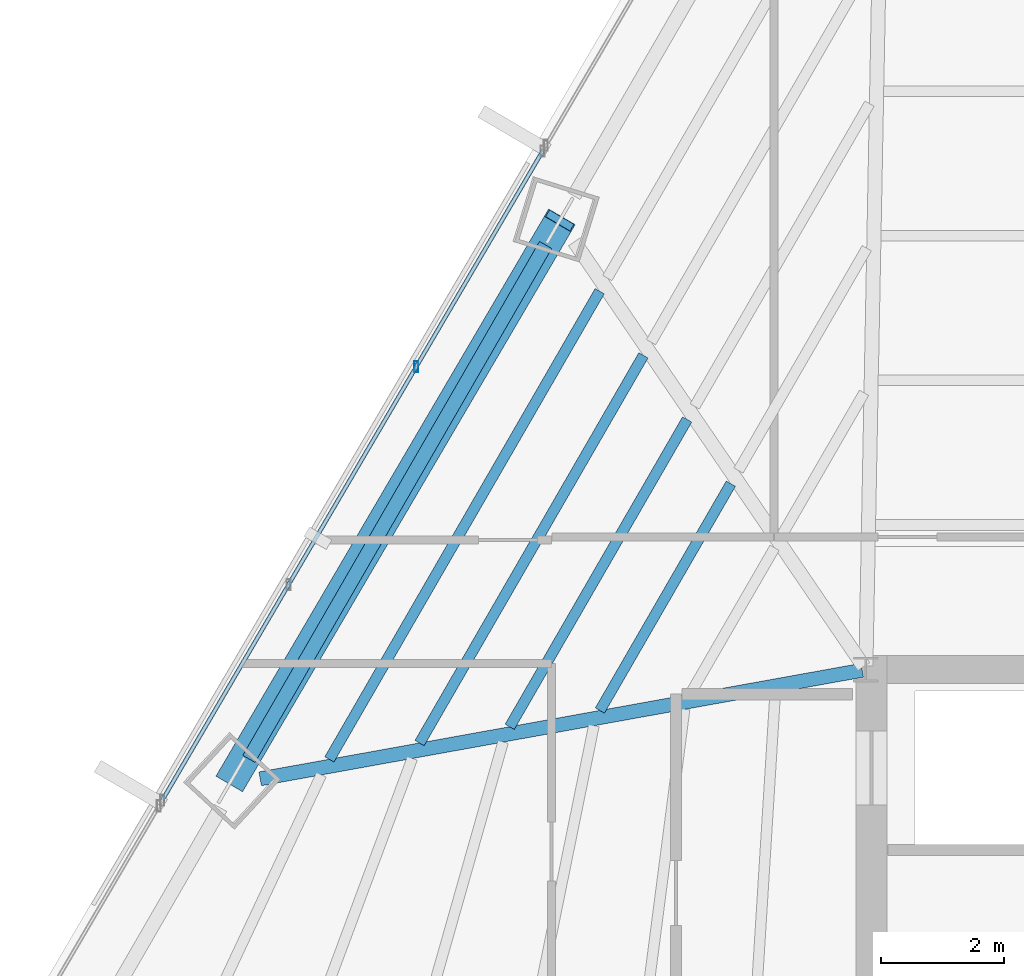
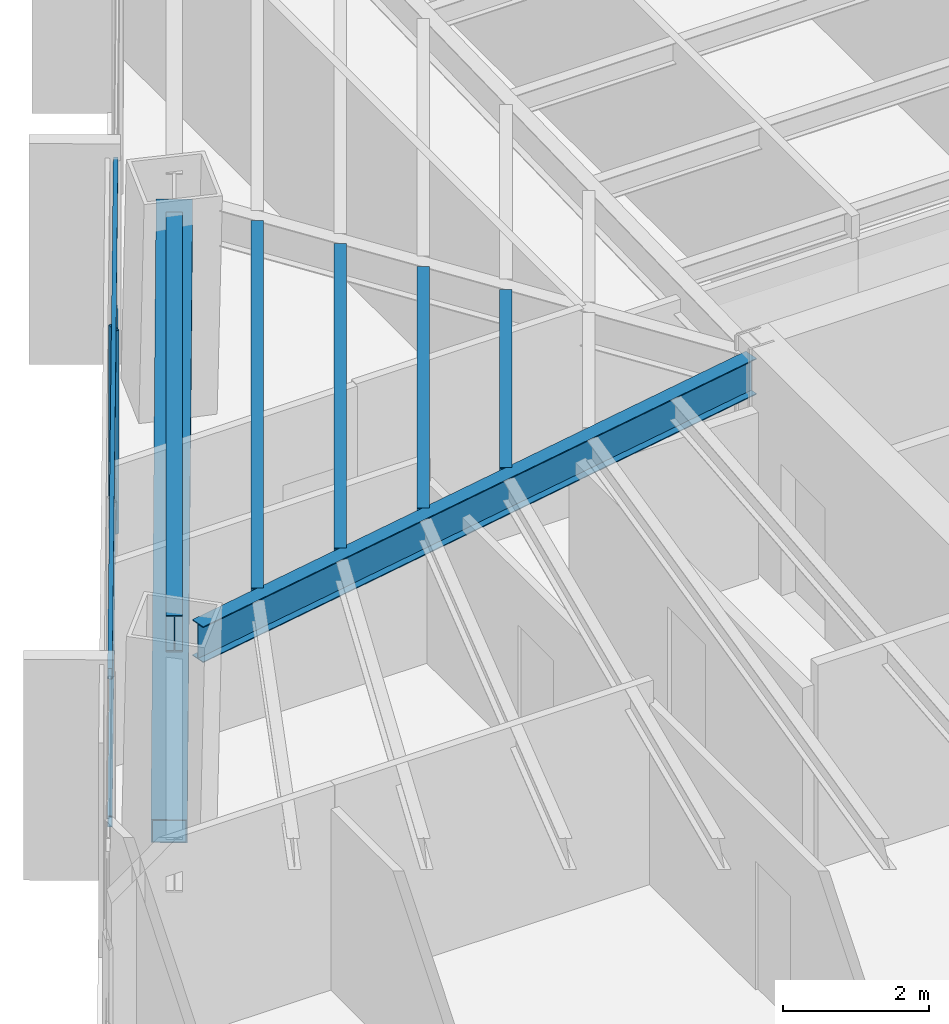
# One storey, part 13 of 36: 6 beams, 4 members, 1 element without a shape of its own.
"""IFC4 building model written with IfcOpenShell, lengths in metres."""

from ifc_helpers import new_model, si_unit, direction, frame, origin, origin_2d, place, context, subcontext, project, spatial, hollow_rectangle, i_section, extrude, source, transform, mapped, material, material_profile, profile_set, type_object, type_shapes, element, aggregate, save


model = new_model("IFC4")

# Units and contexts
model_context = context("Model", 3, precision=1e-05, world=origin(), true_north=direction((0.0, 1.0)))
body_context = subcontext(model_context, "Body", "Model", "MODEL_VIEW")
ifc_project = project(units=[si_unit("LENGTHUNIT", "METRE"), si_unit("AREAUNIT", "SQUARE_METRE"), si_unit("VOLUMEUNIT", "CUBIC_METRE"), si_unit("PLANEANGLEUNIT", "RADIAN"), si_unit("MASSUNIT", "GRAM", prefix="KILO")], contexts=[model_context])

# Site, building, storey
site_placement = place(None, origin())
site = spatial("IfcSite", under=ifc_project, at=site_placement, CompositionType="ELEMENT")
building_placement = place(site_placement, origin())
building = spatial("IfcBuilding", under=site, at=building_placement, Name="Caelisora Broadcast Tower", CompositionType="ELEMENT")
storey_placement = place(building_placement, frame((0.0, 0.0, 112.699951171875)))
storey = spatial("IfcBuildingStorey", under=building, at=storey_placement, Name="L29", CompositionType="ELEMENT", Elevation=112.699951171875)

# Beams
ifc_material_1 = material(Name="Steel Grade 350 (AS/NZS 3679.1)", Category="steel")
ifc_material_profile_1 = material_profile(ifc_material_1, i_section(OverallWidth=0.22900390625, OverallDepth=0.611572265625, WebThickness=0.011962890625, FlangeThickness=0.01953125, at=origin_2d()), Name="Steel Grade 350 (AS/NZS 3679.1)")
ifc_profile_set_1 = profile_set([ifc_material_profile_1], Name="Steel Grade 350 (AS/NZS 3679.1)")
beam_type_1 = type_object("IfcBeamType", Name="PG03", PredefinedType="BEAM", material=ifc_profile_set_1)
shared_shape_1 = source(origin(), body_context, "Body", "SweptSolid", [
    extrude(i_section(OverallWidth=0.22900390625, OverallDepth=0.611572265625, WebThickness=0.011962890625, FlangeThickness=0.01953125, at=origin_2d()), origin(), (0.0, 0.0, 1.0), 9.631591796875),
])
type_shapes(beam_type_1, [shared_shape_1])
beam_1_placement = place(storey_placement, frame((25.302490234375, 36.8916015625, 3.09423828125), z_axis=(-0.499985755146, -0.866033627899, 0.0), x_axis=(0.866033627899, -0.499985755146, 0.0)))
element("IfcBeam", 1, at=beam_1_placement, inside=storey, type_object=beam_type_1, Name="L29 beam PG03", PredefinedType="BEAM", context=body_context, shape_type="MappedRepresentation", body=[
    mapped(shared_shape_1, transform((0.0, 0.0, 0.0), scale=1.0)),
])
ifc_material_profile_2 = material_profile(ifc_material_1, i_section(OverallWidth=0.22802734375, OverallDepth=0.602294921875, WebThickness=0.010498046875, FlangeThickness=0.014892578125, at=origin_2d()), Name="Steel Grade 350 (AS/NZS 3679.1)")
ifc_profile_set_2 = profile_set([ifc_material_profile_2], Name="Steel Grade 350 (AS/NZS 3679.1)")
beam_type_2 = type_object("IfcBeamType", Name="PG04", PredefinedType="BEAM", material=ifc_profile_set_2)
shared_shape_2 = source(origin(), body_context, "Body", "SweptSolid", [
    extrude(i_section(OverallWidth=0.22802734375, OverallDepth=0.602294921875, WebThickness=0.010498046875, FlangeThickness=0.014892578125, at=origin_2d()), origin(), (0.0, 0.0, 1.0), 9.928466796875),
])
type_shapes(beam_type_2, [shared_shape_2])
beam_2_placement = place(storey_placement, frame((30.44091796875, 29.9892578125, 3.098876953125), z_axis=(-0.984113708466, -0.177539316237, 0.0), x_axis=(0.177539316237, -0.984113708466, 0.0)))
element("IfcBeam", 2, at=beam_2_placement, inside=storey, type_object=beam_type_2, Name="L29 beam PG04", PredefinedType="BEAM", context=body_context, shape_type="MappedRepresentation", body=[
    mapped(shared_shape_2, transform((0.0, 0.0, 0.0), scale=1.0)),
])
ifc_material_profile_3 = material_profile(ifc_material_1, i_section(OverallWidth=0.172119140625, OverallDepth=0.358642578125, WebThickness=0.008056640625, FlangeThickness=0.012939453125, at=origin_2d()), Name="Steel Grade 350 (AS/NZS 3679.1)")
ifc_profile_set_3 = profile_set([ifc_material_profile_3], Name="Steel Grade 350 (AS/NZS 3679.1)")
beam_type_3 = type_object("IfcBeamType", Name="SB02", PredefinedType="JOIST", material=ifc_profile_set_3)
shared_shape_3 = source(origin(), body_context, "Body", "SweptSolid", [
    extrude(i_section(OverallWidth=0.172119140625, OverallDepth=0.358642578125, WebThickness=0.008056640625, FlangeThickness=0.012939453125, at=origin_2d()), origin(), (0.0, 0.0, 1.0), 4.25244140625),
])
beam_3_placement = place(storey_placement, frame((28.309326171875, 33.017333984375, 3.220703125), z_axis=(-0.500010702031, -0.866019224876, 0.0), x_axis=(0.866019224876, -0.500010702031, 0.0)))
element("IfcBeam", 3, at=beam_3_placement, inside=storey, type_object=beam_type_3, Name="L29 beam SB02", PredefinedType="JOIST", context=body_context, shape_type="MappedRepresentation", body=[
    mapped(shared_shape_3, transform((0.0, 0.0, 0.0), scale=1.0)),
])
shared_shape_4 = source(origin(), body_context, "Body", "SweptSolid", [
    extrude(i_section(OverallWidth=0.172119140625, OverallDepth=0.358642578125, WebThickness=0.008056640625, FlangeThickness=0.012939453125, at=origin_2d()), origin(), (0.0, 0.0, 1.0), 5.759521484375),
])
beam_4_placement = place(storey_placement, frame((27.599609375, 34.058837890625, 3.220703125), z_axis=(-0.499973188466, -0.866040882878, 0.0), x_axis=(0.866040882878, -0.499973188466, 0.0)))
element("IfcBeam", 4, at=beam_4_placement, inside=storey, type_object=beam_type_3, Name="L29 beam SB02", PredefinedType="JOIST", context=body_context, shape_type="MappedRepresentation", body=[
    mapped(shared_shape_4, transform((0.0, 0.0, 0.0), scale=1.0)),
])
shared_shape_5 = source(origin(), body_context, "Body", "SweptSolid", [
    extrude(i_section(OverallWidth=0.172119140625, OverallDepth=0.358642578125, WebThickness=0.008056640625, FlangeThickness=0.012939453125, at=origin_2d()), origin(), (0.0, 0.0, 1.0), 7.267333984375),
])
beam_5_placement = place(storey_placement, frame((26.89013671875, 35.100341796875, 3.220703125), z_axis=(-0.499987084801, -0.866032860249, 0.0), x_axis=(0.866032860249, -0.499987084801, 0.0)))
element("IfcBeam", 5, at=beam_5_placement, inside=storey, type_object=beam_type_3, Name="L29 beam SB02", PredefinedType="JOIST", context=body_context, shape_type="MappedRepresentation", body=[
    mapped(shared_shape_5, transform((0.0, 0.0, 0.0), scale=1.0)),
])
shared_shape_6 = source(origin(), body_context, "Body", "SweptSolid", [
    extrude(i_section(OverallWidth=0.172119140625, OverallDepth=0.358642578125, WebThickness=0.008056640625, FlangeThickness=0.012939453125, at=origin_2d()), origin(), (0.0, 0.0, 1.0), 8.7744140625),
])
type_shapes(beam_type_3, [shared_shape_3, shared_shape_4, shared_shape_5, shared_shape_6])
beam_6_placement = place(storey_placement, frame((26.180419921875, 36.1416015625, 3.220703125), z_axis=(-0.499999433879, -0.866025730634, 0.0), x_axis=(0.866025730634, -0.499999433879, 0.0)))
element("IfcBeam", 6, at=beam_6_placement, inside=storey, type_object=beam_type_3, Name="L29 beam SB02", PredefinedType="JOIST", context=body_context, shape_type="MappedRepresentation", body=[
    mapped(shared_shape_6, transform((0.0, 0.0, 0.0), scale=1.0)),
])

# Member
ifc_material_2 = material(Name="Steel Grade 450 L15 (AS/NZS 3678)", Category="steel")
ifc_material_profile_4 = material_profile(ifc_material_2, hollow_rectangle(XDim=0.5, YDim=0.5, WallThickness=0.02001953125, at=origin_2d()), Name="Steel Grade 450 L15 (AS/NZS 3678)")
ifc_profile_set_4 = profile_set([ifc_material_profile_4], Name="Steel Grade 450 L15 (AS/NZS 3678)")
member_type_1 = type_object("IfcMemberType", Name="BR02", PredefinedType="BRACE", material=ifc_profile_set_4)
shared_shape_7 = source(origin(), body_context, "Body", "SweptSolid", [
    extrude(hollow_rectangle(XDim=0.5, YDim=0.5, WallThickness=0.02001953125, at=origin_2d()), origin(), (0.0, 0.0, 1.0), 10.954345703125),
])
type_shapes(member_type_1, [shared_shape_7])
member_1_placement = place(storey_placement, frame((25.53271484375, 37.2900390625, 3.10009765625), z_axis=(-0.486594380263, -0.829592938054, -0.273863955694), x_axis=(0.862570347328, -0.505937146206, 0.0)))
element("IfcMember", 7, at=member_1_placement, inside=storey, type_object=member_type_1, Name="L29 perimeter brace BR02", PredefinedType="BRACE", context=body_context, shape_type="MappedRepresentation", body=[
    mapped(shared_shape_7, transform((0.0, 0.0, 0.0), scale=1.0)),
])

# Curtain wall, members
ifc_material_3 = material(Name="Unitised Aluminium Insulated Shadow-Box Spandrel Curtain Wall", Category="aluminium")
curtain_wall_type = type_object("IfcCurtainWallType", Name="CW-SP1", PredefinedType="NOTDEFINED", material=ifc_material_3)
curtain_wall_placement = place(storey_placement, origin())
curtain_wall = element("IfcCurtainWall", 8, at=curtain_wall_placement, inside=storey, type_object=curtain_wall_type, Name="L29 curtain wall CW-SP1", PredefinedType="NOTDEFINED")
ifc_material_4 = material(Name="Aluminium 6063-T6 Anodised Terracotta Bronze", Category="aluminium")
ifc_material_profile_5 = material_profile(ifc_material_4, hollow_rectangle(XDim=0.06494140625, YDim=0.179931640625, WallThickness=0.00341796875, at=origin_2d()), Name="Aluminium 6063-T6 Anodised Terracotta Bronze")
ifc_profile_set_5 = profile_set([ifc_material_profile_5], Name="Aluminium 6063-T6 Anodised Terracotta Bronze")
member_type_2 = type_object("IfcMemberType", Name="CWM-02", PredefinedType="MULLION", material=ifc_profile_set_5)
shared_shape_8 = source(origin(), body_context, "Body", "SweptSolid", [
    extrude(hollow_rectangle(XDim=0.06494140625, YDim=0.179931640625, WallThickness=0.00341796875, at=origin_2d()), origin(), (0.0, 0.0, 1.0), 3.400146484375),
])
type_shapes(member_type_2, [shared_shape_8])
member_2_placement = place(storey_placement, frame((23.2041015625, 34.9169921875, 0.0), z_axis=(0.0, 0.0, 1.0), x_axis=(1.0, 0.0, 0.0)))
member_2 = element("IfcMember", 9, at=member_2_placement, type_object=member_type_2, Name="L29-CW-B10 mullion #2", PredefinedType="MULLION", context=body_context, shape_type="MappedRepresentation", body=[
    mapped(shared_shape_8, transform((0.0, 0.0, 0.0), scale=1.0)),
])
ifc_material_profile_6 = material_profile(ifc_material_4, hollow_rectangle(XDim=0.06494140625, YDim=0.179931640625, WallThickness=0.00341796875, at=origin_2d()), Name="Aluminium 6063-T6 Anodised Terracotta Bronze")
ifc_profile_set_6 = profile_set([ifc_material_profile_6], Name="Aluminium 6063-T6 Anodised Terracotta Bronze")
member_type_3 = type_object("IfcMemberType", Name="CWT-01", PredefinedType="USERDEFINED", material=ifc_profile_set_6)
shared_shape_9 = source(origin(), body_context, "Body", "SweptSolid", [
    extrude(hollow_rectangle(XDim=0.06494140625, YDim=0.179931640625, WallThickness=0.00341796875, at=origin_2d()), origin(), (0.0, 0.0, 1.0), 12.208984375),
])
type_shapes(member_type_3, [shared_shape_9])
member_3_placement = place(storey_placement, frame((19.080810546875, 27.8798828125, 0.85009765625), z_axis=(0.505539871203, 0.862803244444, 0.0), x_axis=(-0.862803244444, 0.505539871203, 0.0)))
member_3 = element("IfcMember", 10, at=member_3_placement, type_object=member_type_3, Name="L29-CW-B10 transom #1", ObjectType="TRANSOM", PredefinedType="USERDEFINED", context=body_context, shape_type="MappedRepresentation", body=[
    mapped(shared_shape_9, transform((0.0, 0.0, 0.0), scale=1.0)),
])
member_4_placement = place(storey_placement, frame((19.080810546875, 27.8798828125, 3.320068359375), z_axis=(0.505539871203, 0.862803244444, 0.0), x_axis=(-0.862803244444, 0.505539871203, 0.0)))
member_4 = element("IfcMember", 11, at=member_4_placement, type_object=member_type_3, Name="L29-CW-B10 transom #2", ObjectType="TRANSOM", PredefinedType="USERDEFINED", context=body_context, shape_type="MappedRepresentation", body=[
    mapped(shared_shape_9, transform((0.0, 0.0, 0.0), scale=1.0)),
])
aggregate(curtain_wall, [member_2, member_3, member_4])

save(model, "model.ifc")
